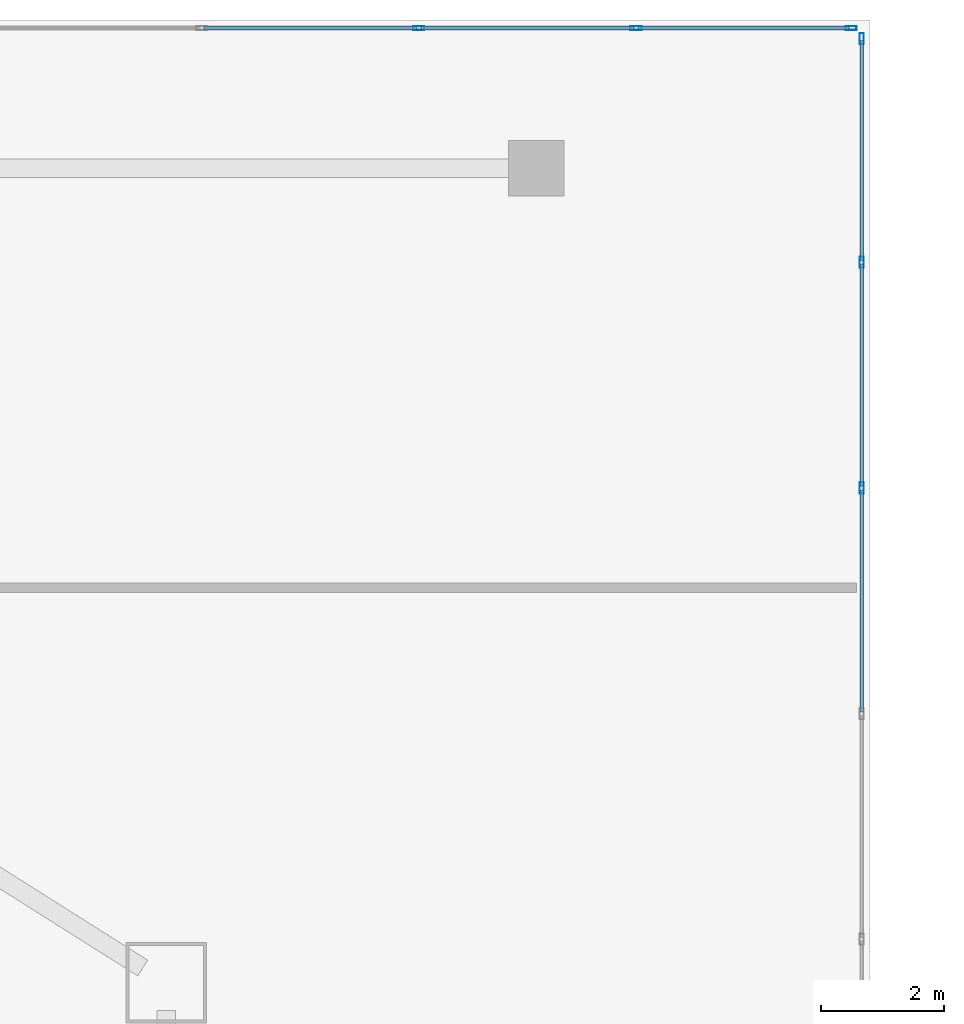
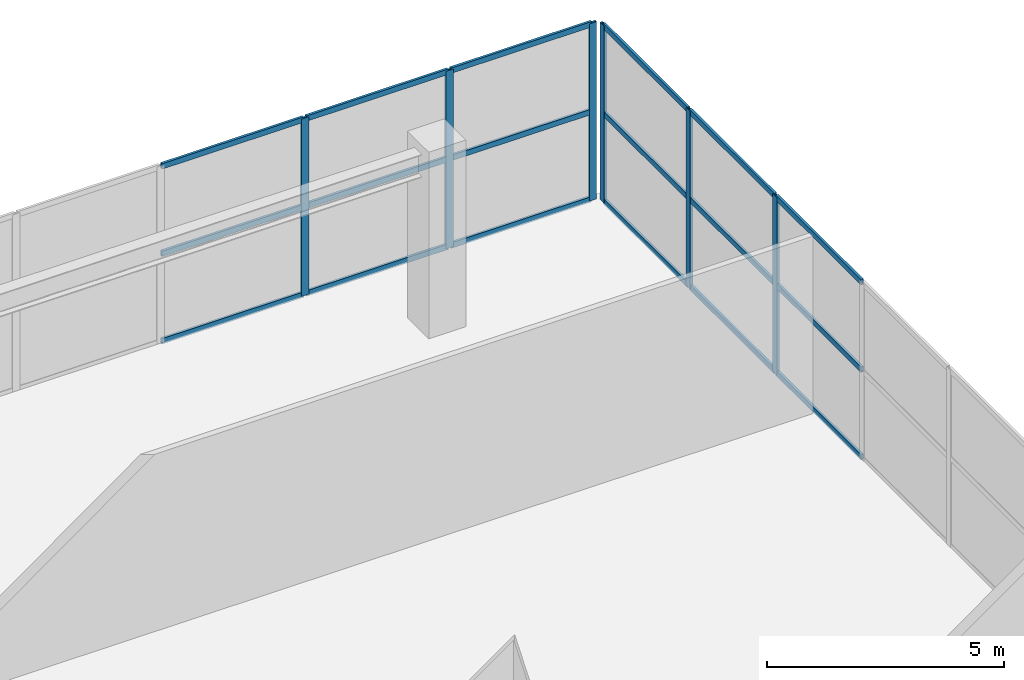
# One storey, part 21 of 31: 24 members, 2 elements without a shape of their own.
"""IFC4 building model written with IfcOpenShell, lengths in metres."""

from ifc_helpers import new_model, si_unit, direction, frame, origin, origin_2d, place, context, subcontext, project, spatial, hollow_rectangle, extrude, material, layer, layer_set, material_profile, profile_set, type_object, element, aggregate, save


model = new_model("IFC4")

# Units and contexts
model_context = context("Model", 3, precision=1e-05, world=origin(), true_north=direction((0.0, 1.0)))
body_context = subcontext(model_context, "Body", "Model", "MODEL_VIEW")
ifc_project = project(units=[si_unit("LENGTHUNIT", "METRE"), si_unit("AREAUNIT", "SQUARE_METRE"), si_unit("VOLUMEUNIT", "CUBIC_METRE"), si_unit("PLANEANGLEUNIT", "RADIAN"), si_unit("MASSUNIT", "GRAM", prefix="KILO")], contexts=[model_context])

# Site, building, storey
site_placement = place(None, origin())
site = spatial("IfcSite", under=ifc_project, at=site_placement, CompositionType="ELEMENT")
building_placement = place(site_placement, origin())
building = spatial("IfcBuilding", under=site, at=building_placement, Name="Haolan Belvedere Tower", CompositionType="ELEMENT")
storey_placement = place(building_placement, frame((0.0, 0.0, 5.39990234375)))
storey = spatial("IfcBuildingStorey", under=building, at=storey_placement, Name="L01", CompositionType="ELEMENT", Elevation=5.39990234375)

# Curtain wall, members
ifc_material_1 = material(Name="Anodised champagne-silver aluminium 6063-T6 and Low-E glass", Category="aluminium")
ifc_layer = layer(ifc_material_1, 0.179931640625, Name="Anodised champagne-silver aluminium 6063-T6 and Low-E glass")
ifc_layer_set = layer_set([ifc_layer], Name="Anodised champagne-silver aluminium 6063-T6 and Low-E glass")
curtain_wall_type = type_object("IfcCurtainWallType", Name="CW-SYS-01", PredefinedType="NOTDEFINED", material=ifc_layer_set)
curtain_wall_1_placement = place(storey_placement, origin())
curtain_wall_1 = element("IfcCurtainWall", 1, at=curtain_wall_1_placement, inside=storey, type_object=curtain_wall_type, Name="L01 CW-SYS-01 ribbon curtain wall 2.1", PredefinedType="NOTDEFINED")
ifc_material_2 = material(Name="Anodised aluminium 6063-T6", Category="aluminium")
ifc_material_profile_1 = material_profile(ifc_material_2, hollow_rectangle(XDim=0.06494140625, YDim=0.179931640625, WallThickness=0.00390625, at=origin_2d()), Name="Anodised aluminium 6063-T6")
ifc_profile_set_1 = profile_set([ifc_material_profile_1], Name="Anodised aluminium 6063-T6")
member_type_1 = type_object("IfcMemberType", Name="CW-SYS-01-MUL", PredefinedType="MULLION", material=ifc_profile_set_1)
member_1_placement = place(storey_placement, frame((75.469970703125, 46.416748046875, 0.0), z_axis=(0.0, 0.0, 1.0), x_axis=(-1.0, 0.0, 0.0)))
member_1 = element("IfcMember", 2, at=member_1_placement, type_object=member_type_1, Name="CW-01 mullion 12", PredefinedType="MULLION", context=body_context, shape_type="SweptSolid", body=[
    extrude(hollow_rectangle(XDim=0.06494140625, YDim=0.179931640625, WallThickness=0.00390625, at=origin_2d()), origin(), (0.0, 0.0, 1.0), 4.56005859375),
])
member_2_placement = place(storey_placement, frame((75.469970703125, 50.073486328125, 0.0), z_axis=(0.0, 0.0, 1.0), x_axis=(-1.0, 0.0, 0.0)))
member_2 = element("IfcMember", 3, at=member_2_placement, type_object=member_type_1, Name="CW-01 mullion 13", PredefinedType="MULLION", context=body_context, shape_type="SweptSolid", body=[
    extrude(hollow_rectangle(XDim=0.06494140625, YDim=0.179931640625, WallThickness=0.00390625, at=origin_2d()), origin(), (0.0, 0.0, 1.0), 4.56005859375),
])
member_3_placement = place(storey_placement, frame((75.469970703125, 53.697509765625, 0.0), z_axis=(0.0, 0.0, 1.0), x_axis=(-1.0, 0.0, 0.0)))
member_3 = element("IfcMember", 4, at=member_3_placement, type_object=member_type_1, Name="CW-01 mullion 14", PredefinedType="MULLION", context=body_context, shape_type="SweptSolid", body=[
    extrude(hollow_rectangle(XDim=0.06494140625, YDim=0.179931640625, WallThickness=0.00390625, at=origin_2d()), origin(), (0.0, 0.0, 1.0), 4.56005859375),
])

curtain_wall_2_placement = place(storey_placement, origin())
curtain_wall_2 = element("IfcCurtainWall", 5, at=curtain_wall_2_placement, inside=storey, type_object=curtain_wall_type, Name="L01 CW-SYS-01 ribbon curtain wall 3.1", PredefinedType="NOTDEFINED")
member_4_placement = place(storey_placement, frame((75.297607421875, 53.8701171875, 0.0), z_axis=(0.0, 0.0, 1.0), x_axis=(0.0, -1.0, 0.0)))
member_4 = element("IfcMember", 6, at=member_4_placement, type_object=member_type_1, Name="CW-01 mullion 1", PredefinedType="MULLION", context=body_context, shape_type="SweptSolid", body=[
    extrude(hollow_rectangle(XDim=0.06494140625, YDim=0.179931640625, WallThickness=0.00390625, at=origin_2d()), origin(), (0.0, 0.0, 1.0), 4.56005859375),
])
member_5_placement = place(storey_placement, frame((71.812744140625, 53.8701171875, 0.0), z_axis=(0.0, 0.0, 1.0), x_axis=(0.0, -1.0, 0.0)))
member_5 = element("IfcMember", 7, at=member_5_placement, type_object=member_type_1, Name="CW-01 mullion 2", PredefinedType="MULLION", context=body_context, shape_type="SweptSolid", body=[
    extrude(hollow_rectangle(XDim=0.06494140625, YDim=0.179931640625, WallThickness=0.00390625, at=origin_2d()), origin(), (0.0, 0.0, 1.0), 4.56005859375),
])
member_6_placement = place(storey_placement, frame((68.295654296875, 53.8701171875, 0.0), z_axis=(0.0, 0.0, 1.0), x_axis=(0.0, -1.0, 0.0)))
member_6 = element("IfcMember", 8, at=member_6_placement, type_object=member_type_1, Name="CW-01 mullion 3", PredefinedType="MULLION", context=body_context, shape_type="SweptSolid", body=[
    extrude(hollow_rectangle(XDim=0.06494140625, YDim=0.179931640625, WallThickness=0.00390625, at=origin_2d()), origin(), (0.0, 0.0, 1.0), 4.56005859375),
])

# Member
ifc_material_profile_2 = material_profile(ifc_material_2, hollow_rectangle(XDim=0.06005859375, YDim=0.139892578125, WallThickness=0.00390625, at=origin_2d()), Name="Anodised aluminium 6063-T6")
ifc_profile_set_2 = profile_set([ifc_material_profile_2], Name="Anodised aluminium 6063-T6")
member_type_2 = type_object("IfcMemberType", Name="CW-SYS-01-TRN", PredefinedType="USERDEFINED", material=ifc_profile_set_2)
member_7_placement = place(storey_placement, frame((75.469970703125, 42.792724609375, 0.030029296875), z_axis=(0.0, 1.0, 0.0), x_axis=(-1.0, 0.0, 0.0)))
member_7 = element("IfcMember", 9, at=member_7_placement, type_object=member_type_2, Name="CW-01 transom 11.1", ObjectType="TRANSOM", PredefinedType="USERDEFINED", context=body_context, shape_type="SweptSolid", body=[
    extrude(hollow_rectangle(XDim=0.06005859375, YDim=0.139892578125, WallThickness=0.00390625, at=origin_2d()), origin(), (0.0, 0.0, 1.0), 3.591552734375),
])

member_8_placement = place(storey_placement, frame((75.469970703125, 42.792724609375, 2.280029296875), z_axis=(0.0, 1.0, 0.0), x_axis=(-1.0, 0.0, 0.0)))
member_8 = element("IfcMember", 10, at=member_8_placement, type_object=member_type_2, Name="CW-01 transom 11.2", ObjectType="TRANSOM", PredefinedType="USERDEFINED", context=body_context, shape_type="SweptSolid", body=[
    extrude(hollow_rectangle(XDim=0.06005859375, YDim=0.139892578125, WallThickness=0.00390625, at=origin_2d()), origin(), (0.0, 0.0, 1.0), 3.591552734375),
])

member_9_placement = place(storey_placement, frame((75.469970703125, 42.792724609375, 4.530029296875), z_axis=(0.0, 1.0, 0.0), x_axis=(-1.0, 0.0, 0.0)))
member_9 = element("IfcMember", 11, at=member_9_placement, type_object=member_type_2, Name="CW-01 transom 11.3", ObjectType="TRANSOM", PredefinedType="USERDEFINED", context=body_context, shape_type="SweptSolid", body=[
    extrude(hollow_rectangle(XDim=0.06005859375, YDim=0.139892578125, WallThickness=0.00390625, at=origin_2d()), origin(), (0.0, 0.0, 1.0), 3.591552734375),
])

member_10_placement = place(storey_placement, frame((75.469970703125, 46.44921875, 0.030029296875), z_axis=(0.0, 1.0, 0.0), x_axis=(-1.0, 0.0, 0.0)))
member_10 = element("IfcMember", 12, at=member_10_placement, type_object=member_type_2, Name="CW-01 transom 12.1", ObjectType="TRANSOM", PredefinedType="USERDEFINED", context=body_context, shape_type="SweptSolid", body=[
    extrude(hollow_rectangle(XDim=0.06005859375, YDim=0.139892578125, WallThickness=0.00390625, at=origin_2d()), origin(), (0.0, 0.0, 1.0), 3.591552734375),
])

member_11_placement = place(storey_placement, frame((75.469970703125, 46.44921875, 2.280029296875), z_axis=(0.0, 1.0, 0.0), x_axis=(-1.0, 0.0, 0.0)))
member_11 = element("IfcMember", 13, at=member_11_placement, type_object=member_type_2, Name="CW-01 transom 12.2", ObjectType="TRANSOM", PredefinedType="USERDEFINED", context=body_context, shape_type="SweptSolid", body=[
    extrude(hollow_rectangle(XDim=0.06005859375, YDim=0.139892578125, WallThickness=0.00390625, at=origin_2d()), origin(), (0.0, 0.0, 1.0), 3.591552734375),
])

member_12_placement = place(storey_placement, frame((75.469970703125, 46.44921875, 4.530029296875), z_axis=(0.0, 1.0, 0.0), x_axis=(-1.0, 0.0, 0.0)))
member_12 = element("IfcMember", 14, at=member_12_placement, type_object=member_type_2, Name="CW-01 transom 12.3", ObjectType="TRANSOM", PredefinedType="USERDEFINED", context=body_context, shape_type="SweptSolid", body=[
    extrude(hollow_rectangle(XDim=0.06005859375, YDim=0.139892578125, WallThickness=0.00390625, at=origin_2d()), origin(), (0.0, 0.0, 1.0), 3.591552734375),
])

member_13_placement = place(storey_placement, frame((75.469970703125, 50.10595703125, 0.030029296875), z_axis=(0.0, 1.0, 0.0), x_axis=(-1.0, 0.0, 0.0)))
member_13 = element("IfcMember", 15, at=member_13_placement, type_object=member_type_2, Name="CW-01 transom 13.1", ObjectType="TRANSOM", PredefinedType="USERDEFINED", context=body_context, shape_type="SweptSolid", body=[
    extrude(hollow_rectangle(XDim=0.06005859375, YDim=0.139892578125, WallThickness=0.00390625, at=origin_2d()), origin(), (0.0, 0.0, 1.0), 3.55908203125),
])

member_14_placement = place(storey_placement, frame((75.469970703125, 50.10595703125, 2.280029296875), z_axis=(0.0, 1.0, 0.0), x_axis=(-1.0, 0.0, 0.0)))
member_14 = element("IfcMember", 16, at=member_14_placement, type_object=member_type_2, Name="CW-01 transom 13.2", ObjectType="TRANSOM", PredefinedType="USERDEFINED", context=body_context, shape_type="SweptSolid", body=[
    extrude(hollow_rectangle(XDim=0.06005859375, YDim=0.139892578125, WallThickness=0.00390625, at=origin_2d()), origin(), (0.0, 0.0, 1.0), 3.55908203125),
])

member_15_placement = place(storey_placement, frame((75.469970703125, 50.10595703125, 4.530029296875), z_axis=(0.0, 1.0, 0.0), x_axis=(-1.0, 0.0, 0.0)))
member_15 = element("IfcMember", 17, at=member_15_placement, type_object=member_type_2, Name="CW-01 transom 13.3", ObjectType="TRANSOM", PredefinedType="USERDEFINED", context=body_context, shape_type="SweptSolid", body=[
    extrude(hollow_rectangle(XDim=0.06005859375, YDim=0.139892578125, WallThickness=0.00390625, at=origin_2d()), origin(), (0.0, 0.0, 1.0), 3.55908203125),
])

aggregate(curtain_wall_1, [member_1, member_2, member_3, member_7, member_8, member_9, member_10, member_11, member_12, member_13, member_14, member_15])

member_16_placement = place(storey_placement, frame((75.264892578125, 53.8701171875, 0.030029296875), z_axis=(-1.0, 0.0, 0.0), x_axis=(0.0, -1.0, 0.0)))
member_16 = element("IfcMember", 18, at=member_16_placement, type_object=member_type_2, Name="CW-01 transom 1.1", ObjectType="TRANSOM", PredefinedType="USERDEFINED", context=body_context, shape_type="SweptSolid", body=[
    extrude(hollow_rectangle(XDim=0.06005859375, YDim=0.139892578125, WallThickness=0.00390625, at=origin_2d()), origin(), (0.0, 0.0, 1.0), 3.41943359375),
])

member_17_placement = place(storey_placement, frame((75.264892578125, 53.8701171875, 2.280029296875), z_axis=(-1.0, 0.0, 0.0), x_axis=(0.0, -1.0, 0.0)))
member_17 = element("IfcMember", 19, at=member_17_placement, type_object=member_type_2, Name="CW-01 transom 1.2", ObjectType="TRANSOM", PredefinedType="USERDEFINED", context=body_context, shape_type="SweptSolid", body=[
    extrude(hollow_rectangle(XDim=0.06005859375, YDim=0.139892578125, WallThickness=0.00390625, at=origin_2d()), origin(), (0.0, 0.0, 1.0), 3.41943359375),
])

member_18_placement = place(storey_placement, frame((75.264892578125, 53.8701171875, 4.530029296875), z_axis=(-1.0, 0.0, 0.0), x_axis=(0.0, -1.0, 0.0)))
member_18 = element("IfcMember", 20, at=member_18_placement, type_object=member_type_2, Name="CW-01 transom 1.3", ObjectType="TRANSOM", PredefinedType="USERDEFINED", context=body_context, shape_type="SweptSolid", body=[
    extrude(hollow_rectangle(XDim=0.06005859375, YDim=0.139892578125, WallThickness=0.00390625, at=origin_2d()), origin(), (0.0, 0.0, 1.0), 3.41943359375),
])

member_19_placement = place(storey_placement, frame((71.7802734375, 53.8701171875, 0.030029296875), z_axis=(-1.0, 0.0, 0.0), x_axis=(0.0, -1.0, 0.0)))
member_19 = element("IfcMember", 21, at=member_19_placement, type_object=member_type_2, Name="CW-01 transom 2.1", ObjectType="TRANSOM", PredefinedType="USERDEFINED", context=body_context, shape_type="SweptSolid", body=[
    extrude(hollow_rectangle(XDim=0.06005859375, YDim=0.139892578125, WallThickness=0.00390625, at=origin_2d()), origin(), (0.0, 0.0, 1.0), 3.4521484375),
])

member_20_placement = place(storey_placement, frame((71.7802734375, 53.8701171875, 2.280029296875), z_axis=(-1.0, 0.0, 0.0), x_axis=(0.0, -1.0, 0.0)))
member_20 = element("IfcMember", 22, at=member_20_placement, type_object=member_type_2, Name="CW-01 transom 2.2", ObjectType="TRANSOM", PredefinedType="USERDEFINED", context=body_context, shape_type="SweptSolid", body=[
    extrude(hollow_rectangle(XDim=0.06005859375, YDim=0.139892578125, WallThickness=0.00390625, at=origin_2d()), origin(), (0.0, 0.0, 1.0), 3.4521484375),
])

member_21_placement = place(storey_placement, frame((71.7802734375, 53.8701171875, 4.530029296875), z_axis=(-1.0, 0.0, 0.0), x_axis=(0.0, -1.0, 0.0)))
member_21 = element("IfcMember", 23, at=member_21_placement, type_object=member_type_2, Name="CW-01 transom 2.3", ObjectType="TRANSOM", PredefinedType="USERDEFINED", context=body_context, shape_type="SweptSolid", body=[
    extrude(hollow_rectangle(XDim=0.06005859375, YDim=0.139892578125, WallThickness=0.00390625, at=origin_2d()), origin(), (0.0, 0.0, 1.0), 3.4521484375),
])

member_22_placement = place(storey_placement, frame((68.26318359375, 53.8701171875, 0.030029296875), z_axis=(-1.0, 0.0, 0.0), x_axis=(0.0, -1.0, 0.0)))
member_22 = element("IfcMember", 24, at=member_22_placement, type_object=member_type_2, Name="CW-01 transom 3.1", ObjectType="TRANSOM", PredefinedType="USERDEFINED", context=body_context, shape_type="SweptSolid", body=[
    extrude(hollow_rectangle(XDim=0.06005859375, YDim=0.139892578125, WallThickness=0.00390625, at=origin_2d()), origin(), (0.0, 0.0, 1.0), 3.4521484375),
])

member_23_placement = place(storey_placement, frame((68.26318359375, 53.8701171875, 2.280029296875), z_axis=(-1.0, 0.0, 0.0), x_axis=(0.0, -1.0, 0.0)))
member_23 = element("IfcMember", 25, at=member_23_placement, type_object=member_type_2, Name="CW-01 transom 3.2", ObjectType="TRANSOM", PredefinedType="USERDEFINED", context=body_context, shape_type="SweptSolid", body=[
    extrude(hollow_rectangle(XDim=0.06005859375, YDim=0.139892578125, WallThickness=0.00390625, at=origin_2d()), origin(), (0.0, 0.0, 1.0), 3.4521484375),
])

member_24_placement = place(storey_placement, frame((68.26318359375, 53.8701171875, 4.530029296875), z_axis=(-1.0, 0.0, 0.0), x_axis=(0.0, -1.0, 0.0)))
member_24 = element("IfcMember", 26, at=member_24_placement, type_object=member_type_2, Name="CW-01 transom 3.3", ObjectType="TRANSOM", PredefinedType="USERDEFINED", context=body_context, shape_type="SweptSolid", body=[
    extrude(hollow_rectangle(XDim=0.06005859375, YDim=0.139892578125, WallThickness=0.00390625, at=origin_2d()), origin(), (0.0, 0.0, 1.0), 3.4521484375),
])

aggregate(curtain_wall_2, [member_4, member_5, member_6, member_16, member_17, member_18, member_19, member_20, member_21, member_22, member_23, member_24])

save(model, "model.ifc")
